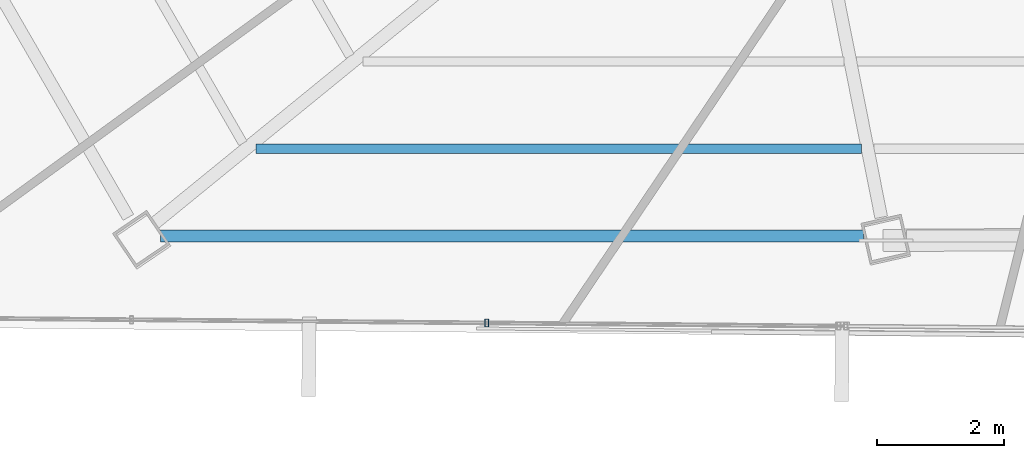
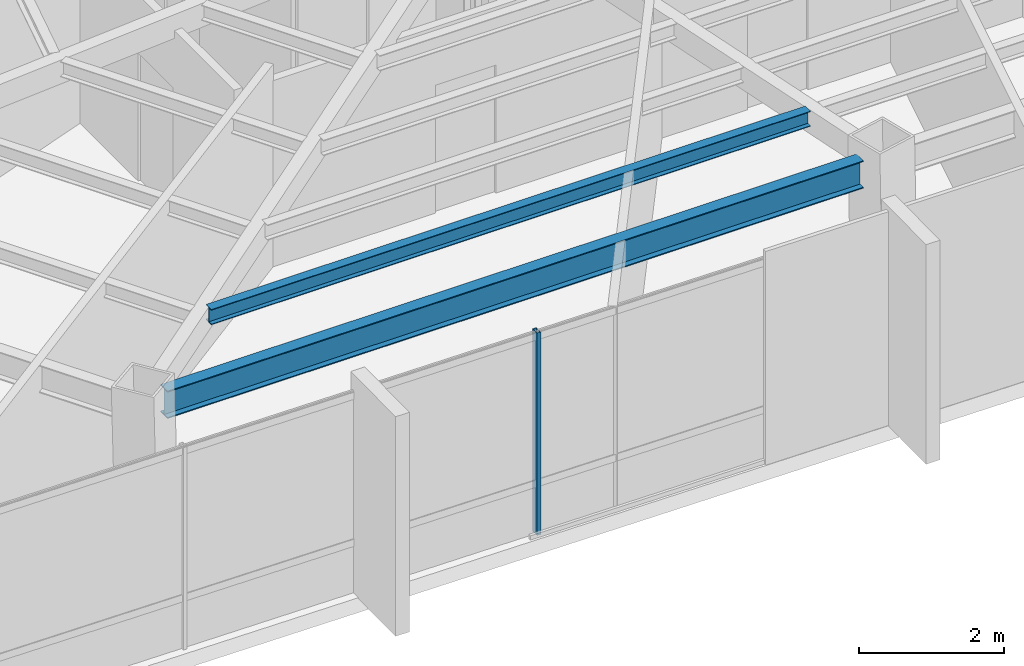
# One storey, part 5 of 42: 2 beams, 1 member, 1 element without a shape of its own.
"""IFC4 building model written with IfcOpenShell, lengths in metres."""

from ifc_helpers import new_model, si_unit, direction, frame, origin, origin_2d, place, context, subcontext, project, spatial, hollow_rectangle, i_section, extrude, source, transform, mapped, material, material_profile, profile_set, type_object, type_shapes, element, aggregate, save


model = new_model("IFC4")

# Units and contexts
model_context = context("Model", 3, precision=1e-05, world=origin(), true_north=direction((0.0, 1.0)))
body_context = subcontext(model_context, "Body", "Model", "MODEL_VIEW")
ifc_project = project(units=[si_unit("LENGTHUNIT", "METRE"), si_unit("AREAUNIT", "SQUARE_METRE"), si_unit("VOLUMEUNIT", "CUBIC_METRE"), si_unit("PLANEANGLEUNIT", "RADIAN"), si_unit("MASSUNIT", "GRAM", prefix="KILO")], contexts=[model_context])

# Site, building, storey
site_placement = place(None, origin())
site = spatial("IfcSite", under=ifc_project, at=site_placement, CompositionType="ELEMENT")
building_placement = place(site_placement, origin())
building = spatial("IfcBuilding", under=site, at=building_placement, Name="Caelisora Broadcast Tower", CompositionType="ELEMENT")
storey_placement = place(building_placement, frame((0.0, 0.0, 244.449951171875)))
storey = spatial("IfcBuildingStorey", under=building, at=storey_placement, Name="L64", CompositionType="ELEMENT", Elevation=244.449951171875)

# Beams
ifc_material_1 = material(Name="Steel Grade 350 (AS/NZS 3679.1)", Category="steel")
ifc_material_profile_1 = material_profile(ifc_material_1, i_section(OverallWidth=0.19091796875, OverallDepth=0.46044921875, WebThickness=0.010009765625, FlangeThickness=0.01611328125, at=origin_2d()), Name="Steel Grade 350 (AS/NZS 3679.1)")
ifc_profile_set_1 = profile_set([ifc_material_profile_1], Name="Steel Grade 350 (AS/NZS 3679.1)")
beam_type_1 = type_object("IfcBeamType", Name="PG06", PredefinedType="BEAM", material=ifc_profile_set_1)
shared_shape_1 = source(origin(), body_context, "Body", "SweptSolid", [
    extrude(i_section(OverallWidth=0.19091796875, OverallDepth=0.46044921875, WebThickness=0.010009765625, FlangeThickness=0.01611328125, at=origin_2d()), origin(), (0.0, 0.0, 1.0), 11.058837890625),
])
type_shapes(beam_type_1, [shared_shape_1])
beam_1_placement = place(storey_placement, frame((20.73583984375, 9.16748046875, 3.169921875), z_axis=(1.0, 0.0, 0.0), x_axis=(0.0, 1.0, 0.0)))
element("IfcBeam", 1, at=beam_1_placement, inside=storey, type_object=beam_type_1, Name="L64 beam PG06", PredefinedType="BEAM", context=body_context, shape_type="MappedRepresentation", body=[
    mapped(shared_shape_1, transform((0.0, 0.0, 0.0), scale=1.0)),
])
ifc_material_profile_2 = material_profile(ifc_material_1, i_section(OverallWidth=0.14599609375, OverallDepth=0.256103515625, WebThickness=0.00634765625, FlangeThickness=0.010986328125, at=origin_2d()), Name="Steel Grade 350 (AS/NZS 3679.1)")
ifc_profile_set_2 = profile_set([ifc_material_profile_2], Name="Steel Grade 350 (AS/NZS 3679.1)")
beam_type_2 = type_object("IfcBeamType", Name="SB04", PredefinedType="JOIST", material=ifc_profile_set_2)
shared_shape_2 = source(origin(), body_context, "Body", "SweptSolid", [
    extrude(i_section(OverallWidth=0.14599609375, OverallDepth=0.256103515625, WebThickness=0.00634765625, FlangeThickness=0.010986328125, at=origin_2d()), origin(), (0.0, 0.0, 1.0), 9.52490234375),
])
type_shapes(beam_type_2, [shared_shape_2])
beam_2_placement = place(storey_placement, frame((22.23681640625, 10.53955078125, 3.27197265625), z_axis=(1.0, 0.0, 0.0), x_axis=(0.0, 1.0, 0.0)))
element("IfcBeam", 2, at=beam_2_placement, inside=storey, type_object=beam_type_2, Name="L64 beam SB04", PredefinedType="JOIST", context=body_context, shape_type="MappedRepresentation", body=[
    mapped(shared_shape_2, transform((0.0, 0.0, 0.0), scale=1.0)),
])

# Curtain wall, member
ifc_material_2 = material(Name="Unitised Aluminium and Low-E Glass Curtain Wall", Category="glass")
curtain_wall_type = type_object("IfcCurtainWallType", Name="CW-Z5", PredefinedType="NOTDEFINED", material=ifc_material_2)
curtain_wall_placement = place(storey_placement, origin())
curtain_wall = element("IfcCurtainWall", 3, at=curtain_wall_placement, inside=storey, type_object=curtain_wall_type, Name="L64 curtain wall CW-Z5", PredefinedType="NOTDEFINED")
ifc_material_3 = material(Name="Aluminium 6063-T6 Anodised Terracotta Bronze", Category="aluminium")
ifc_material_profile_3 = material_profile(ifc_material_3, hollow_rectangle(XDim=0.06005859375, YDim=0.1201171875, WallThickness=0.0029296875, at=origin_2d()), Name="Aluminium 6063-T6 Anodised Terracotta Bronze")
ifc_profile_set_3 = profile_set([ifc_material_profile_3], Name="Aluminium 6063-T6 Anodised Terracotta Bronze")
member_type = type_object("IfcMemberType", Name="CWM-04", PredefinedType="MULLION", material=ifc_profile_set_3)
shared_shape_3 = source(origin(), body_context, "Body", "SweptSolid", [
    extrude(hollow_rectangle(XDim=0.06005859375, YDim=0.1201171875, WallThickness=0.0029296875, at=origin_2d()), origin(), (0.0, 0.0, 1.0), 3.400146484375),
])
type_shapes(member_type, [shared_shape_3])
member_placement = place(storey_placement, frame((25.86767578125, 7.79833984375, 0.0), z_axis=(0.0, 0.0, 1.0), x_axis=(1.0, 0.0, 0.0)))
member = element("IfcMember", 4, at=member_placement, type_object=member_type, Name="L64-CW-B07 mullion #1", PredefinedType="MULLION", context=body_context, shape_type="MappedRepresentation", body=[
    mapped(shared_shape_3, transform((0.0, 0.0, 0.0), scale=1.0)),
])
aggregate(curtain_wall, [member])

save(model, "model.ifc")
